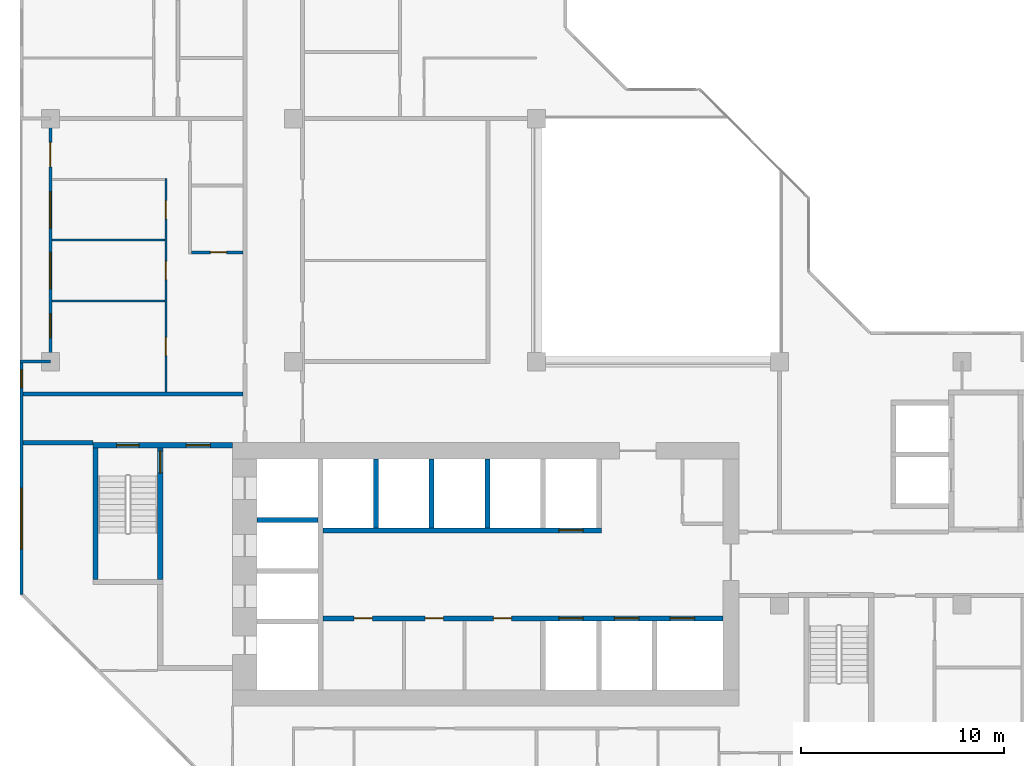
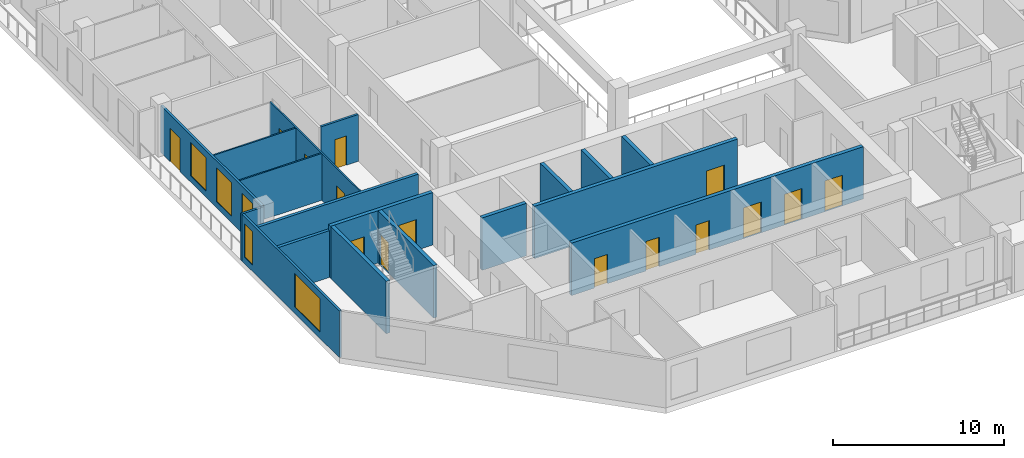
# One storey, part 5 of 14: 18 walls, 15 doors, 5 windows, 20 openings.
"""IFC4 building model written with IfcOpenShell, lengths in metres."""

from ifc_helpers import new_model, si_unit, direction, frame, frame_2d, origin, place, context, subcontext, project, spatial, rectangle, extrude, material, layer, layer_set, type_object, element, fill, save


model = new_model("IFC4")

# Units and contexts
model_context = context("Model", 3, precision=1e-05, world=origin(), true_north=direction((0.0, 1.0)))
body_context = subcontext(model_context, "Body", "Model", "MODEL_VIEW")
ifc_project = project(units=[si_unit("LENGTHUNIT", "METRE"), si_unit("AREAUNIT", "SQUARE_METRE"), si_unit("VOLUMEUNIT", "CUBIC_METRE"), si_unit("PLANEANGLEUNIT", "RADIAN"), si_unit("MASSUNIT", "GRAM", prefix="KILO")], contexts=[model_context])

# Site, building, storey
site_placement = place(None, origin())
site = spatial("IfcSite", under=ifc_project, at=site_placement, CompositionType="ELEMENT")
building_placement = place(site_placement, origin())
building = spatial("IfcBuilding", under=site, at=building_placement, Name="Chenar Terraces", CompositionType="ELEMENT")
storey_placement = place(building_placement, frame((0.0, 0.0, 161.14990234375)))
storey = spatial("IfcBuildingStorey", under=building, at=storey_placement, Name="L36", CompositionType="ELEMENT", Elevation=161.14990234375)

# Wall, openings, doors
ifc_material_1 = material(Name="Concrete C60/75", Category="concrete")
ifc_layer_1 = layer(ifc_material_1, 0.25)
ifc_layer_set_1 = layer_set([ifc_layer_1], Name="Concrete C60/75")
wall_type_1 = type_object("IfcWallType", Name="Core wall 250 Concrete C60/75", PredefinedType="SHEAR", material=ifc_layer_set_1)
wall_1_placement = place(storey_placement, frame((13.449951171875, 11.324951171875, 0.0), z_axis=(0.0, 0.0, 1.0), x_axis=(1.0, 0.0, 0.0)))
wall_1 = element("IfcWall", 1, at=wall_1_placement, inside=storey, type_object=wall_type_1, Name="Core wall SF L36", PredefinedType="SHEAR", context=body_context, shape_type="SweptSolid", body=[
    extrude(rectangle(XDim=19.75, YDim=0.25, at=frame_2d((9.875, 0.0))), origin(), (0.0, 0.0, 1.0), 3.75),
])
opening_1_placement = place(wall_1_placement, frame((11.64990234375, 0.0, 0.0)))
opening_1 = element("IfcOpeningElement", 2, at=opening_1_placement, cuts=wall_1, Name="Opening DL36-LD1", PredefinedType="OPENING", context=body_context, shape_type="SweptSolid", body=[
    extrude(rectangle(XDim=1.199951171875, YDim=2.199951171875, at=frame_2d((0.60009765625, 1.10009765625))), frame((0.0, 0.135009765625, 0.0), z_axis=(0.0, -1.0, 0.0), x_axis=(1.0, 0.0, 0.0)), (0.0, 0.0, 1.0), 0.27001953125),
])
opening_2_placement = place(wall_1_placement, frame((14.39990234375, 0.0, 0.0)))
opening_2 = element("IfcOpeningElement", 3, at=opening_2_placement, cuts=wall_1, Name="Opening DL36-LD2", PredefinedType="OPENING", context=body_context, shape_type="SweptSolid", body=[
    extrude(rectangle(XDim=1.199951171875, YDim=2.199951171875, at=frame_2d((0.60009765625, 1.10009765625))), frame((0.0, 0.135009765625, 0.0), z_axis=(0.0, -1.0, 0.0), x_axis=(1.0, 0.0, 0.0)), (0.0, 0.0, 1.0), 0.27001953125),
])
opening_3_placement = place(wall_1_placement, frame((17.14990234375, 0.0, 0.0)))
opening_3 = element("IfcOpeningElement", 4, at=opening_3_placement, cuts=wall_1, Name="Opening DL36-LD3", PredefinedType="OPENING", context=body_context, shape_type="SweptSolid", body=[
    extrude(rectangle(XDim=1.199951171875, YDim=2.199951171875, at=frame_2d((0.60009765625, 1.10009765625))), frame((0.0, 0.135009765625, 0.0), z_axis=(0.0, -1.0, 0.0), x_axis=(1.0, 0.0, 0.0)), (0.0, 0.0, 1.0), 0.27001953125),
])
opening_4_placement = place(wall_1_placement, frame((1.550048828125, 0.0, 0.0)))
opening_4 = element("IfcOpeningElement", 5, at=opening_4_placement, cuts=wall_1, Name="Opening DL36-C12", PredefinedType="OPENING", context=body_context, shape_type="SweptSolid", body=[
    extrude(rectangle(XDim=0.89990234375, YDim=2.10009765625, at=frame_2d((0.449951171875, 1.050048828125))), frame((0.0, 0.135009765625, 0.0), z_axis=(0.0, -1.0, 0.0), x_axis=(1.0, 0.0, 0.0)), (0.0, 0.0, 1.0), 0.27001953125),
])
opening_5_placement = place(wall_1_placement, frame((5.050048828125, 0.0, 0.0)))
opening_5 = element("IfcOpeningElement", 6, at=opening_5_placement, cuts=wall_1, Name="Opening DL36-C13", PredefinedType="OPENING", context=body_context, shape_type="SweptSolid", body=[
    extrude(rectangle(XDim=0.89990234375, YDim=2.10009765625, at=frame_2d((0.449951171875, 1.050048828125))), frame((0.0, 0.135009765625, 0.0), z_axis=(0.0, -1.0, 0.0), x_axis=(1.0, 0.0, 0.0)), (0.0, 0.0, 1.0), 0.27001953125),
])
opening_6_placement = place(wall_1_placement, frame((8.425048828125, 0.0, 0.0)))
opening_6 = element("IfcOpeningElement", 7, at=opening_6_placement, cuts=wall_1, Name="Opening DL36-C14", PredefinedType="OPENING", context=body_context, shape_type="SweptSolid", body=[
    extrude(rectangle(XDim=0.89990234375, YDim=2.10009765625, at=frame_2d((0.449951171875, 1.050048828125))), frame((0.0, 0.135009765625, 0.0), z_axis=(0.0, -1.0, 0.0), x_axis=(1.0, 0.0, 0.0)), (0.0, 0.0, 1.0), 0.27001953125),
])
ifc_material_2 = material(Name="Stainless steel", Category="steel")
door_type_1 = type_object("IfcDoorType", Name="Lift landing door 1200 x 2200 sliding", OperationType="DOUBLE_DOOR_SLIDING", PredefinedType="DOOR", material=ifc_material_2)
door_1_placement = place(opening_1_placement, origin())
door_1 = element("IfcDoor", 8, at=door_1_placement, inside=storey, type_object=door_type_1, Name="Landing door M1", OperationType="DOUBLE_DOOR_SLIDING", OverallHeight=2.199951171875, OverallWidth=1.199951171875, PredefinedType="DOOR", context=body_context, shape_type="SweptSolid", body=[
    extrude(rectangle(XDim=1.199951171875, YDim=2.199951171875, at=frame_2d((0.60009765625, 1.10009765625))), frame((0.0, 0.02490234375, 0.0), z_axis=(0.0, -1.0, 0.0), x_axis=(1.0, 0.0, 0.0)), (0.0, 0.0, 1.0), 0.050048828125),
])
fill(opening_1, door_1)
door_2_placement = place(opening_2_placement, origin())
door_2 = element("IfcDoor", 9, at=door_2_placement, inside=storey, type_object=door_type_1, Name="Landing door M2", OperationType="DOUBLE_DOOR_SLIDING", OverallHeight=2.199951171875, OverallWidth=1.199951171875, PredefinedType="DOOR", context=body_context, shape_type="SweptSolid", body=[
    extrude(rectangle(XDim=1.199951171875, YDim=2.199951171875, at=frame_2d((0.60009765625, 1.10009765625))), frame((0.0, 0.02490234375, 0.0), z_axis=(0.0, -1.0, 0.0), x_axis=(1.0, 0.0, 0.0)), (0.0, 0.0, 1.0), 0.050048828125),
])
fill(opening_2, door_2)
door_3_placement = place(opening_3_placement, origin())
door_3 = element("IfcDoor", 10, at=door_3_placement, inside=storey, type_object=door_type_1, Name="Landing door M3", OperationType="DOUBLE_DOOR_SLIDING", OverallHeight=2.199951171875, OverallWidth=1.199951171875, PredefinedType="DOOR", context=body_context, shape_type="SweptSolid", body=[
    extrude(rectangle(XDim=1.199951171875, YDim=2.199951171875, at=frame_2d((0.60009765625, 1.10009765625))), frame((0.0, 0.02490234375, 0.0), z_axis=(0.0, -1.0, 0.0), x_axis=(1.0, 0.0, 0.0)), (0.0, 0.0, 1.0), 0.050048828125),
])
fill(opening_3, door_3)
ifc_material_3 = material(Name="Steel-framed fire-resisting door leaf", Category="steel")
door_type_2 = type_object("IfcDoorType", Name="Riser fire door FD60 900 x 2100", OperationType="SINGLE_SWING_LEFT", PredefinedType="DOOR", material=ifc_material_3)
door_4_placement = place(opening_4_placement, frame((0.89990234375, 0.0, 0.0), z_axis=(0.0, 0.0, 1.0), x_axis=(-1.0, 0.0, 0.0)))
door_4 = element("IfcDoor", 11, at=door_4_placement, inside=storey, type_object=door_type_2, Name="Core room door DL36-C12", OperationType="SINGLE_SWING_LEFT", OverallHeight=2.10009765625, OverallWidth=0.89990234375, PredefinedType="DOOR", context=body_context, shape_type="SweptSolid", body=[
    extrude(rectangle(XDim=0.89990234375, YDim=2.10009765625, at=frame_2d((0.449951171875, 1.050048828125))), frame((0.0, 0.02490234375, 0.0), z_axis=(0.0, -1.0, 0.0), x_axis=(1.0, 0.0, 0.0)), (0.0, 0.0, 1.0), 0.050048828125),
])
fill(opening_4, door_4)
door_5_placement = place(opening_5_placement, frame((0.89990234375, 0.0, 0.0), z_axis=(0.0, 0.0, 1.0), x_axis=(-1.0, 0.0, 0.0)))
door_5 = element("IfcDoor", 12, at=door_5_placement, inside=storey, type_object=door_type_2, Name="Core room door DL36-C13", OperationType="SINGLE_SWING_LEFT", OverallHeight=2.10009765625, OverallWidth=0.89990234375, PredefinedType="DOOR", context=body_context, shape_type="SweptSolid", body=[
    extrude(rectangle(XDim=0.89990234375, YDim=2.10009765625, at=frame_2d((0.449951171875, 1.050048828125))), frame((0.0, 0.02490234375, 0.0), z_axis=(0.0, -1.0, 0.0), x_axis=(1.0, 0.0, 0.0)), (0.0, 0.0, 1.0), 0.050048828125),
])
fill(opening_5, door_5)
door_6_placement = place(opening_6_placement, frame((0.89990234375, 0.0, 0.0), z_axis=(0.0, 0.0, 1.0), x_axis=(-1.0, 0.0, 0.0)))
door_6 = element("IfcDoor", 13, at=door_6_placement, inside=storey, type_object=door_type_2, Name="Core room door DL36-C14", OperationType="SINGLE_SWING_RIGHT", OverallHeight=2.10009765625, OverallWidth=0.89990234375, PredefinedType="DOOR", context=body_context, shape_type="SweptSolid", body=[
    extrude(rectangle(XDim=0.89990234375, YDim=2.10009765625, at=frame_2d((0.449951171875, 1.050048828125))), frame((0.0, 0.02490234375, 0.0), z_axis=(0.0, -1.0, 0.0), x_axis=(1.0, 0.0, 0.0)), (0.0, 0.0, 1.0), 0.050048828125),
])
fill(opening_6, door_6)

# Wall, opening, door
wall_2_placement = place(storey_placement, frame((13.449951171875, 15.675048828125, 0.0), z_axis=(0.0, 0.0, 1.0), x_axis=(1.0, 0.0, 0.0)))
wall_2 = element("IfcWall", 14, at=wall_2_placement, inside=storey, type_object=wall_type_1, Name="Core wall NF L36", PredefinedType="SHEAR", context=body_context, shape_type="SweptSolid", body=[
    extrude(rectangle(XDim=13.75, YDim=0.25, at=frame_2d((6.875, 0.0))), origin(), (0.0, 0.0, 1.0), 3.75),
])
opening_7_placement = place(wall_2_placement, frame((11.64990234375, 0.0, 0.0)))
opening_7 = element("IfcOpeningElement", 15, at=opening_7_placement, cuts=wall_2, Name="Opening DL36-LD4", PredefinedType="OPENING", context=body_context, shape_type="SweptSolid", body=[
    extrude(rectangle(XDim=1.199951171875, YDim=2.199951171875, at=frame_2d((0.60009765625, 1.10009765625))), frame((0.0, 0.135009765625, 0.0), z_axis=(0.0, -1.0, 0.0), x_axis=(1.0, 0.0, 0.0)), (0.0, 0.0, 1.0), 0.27001953125),
])
door_7_placement = place(opening_7_placement, origin())
door_7 = element("IfcDoor", 16, at=door_7_placement, inside=storey, type_object=door_type_1, Name="Landing door M4", OperationType="DOUBLE_DOOR_SLIDING", OverallHeight=2.199951171875, OverallWidth=1.199951171875, PredefinedType="DOOR", context=body_context, shape_type="SweptSolid", body=[
    extrude(rectangle(XDim=1.199951171875, YDim=2.199951171875, at=frame_2d((0.60009765625, 1.10009765625))), frame((0.0, 0.02490234375, 0.0), z_axis=(0.0, -1.0, 0.0), x_axis=(1.0, 0.0, 0.0)), (0.0, 0.0, 1.0), 0.050048828125),
])
fill(opening_7, door_7)

# Walls
wall_3_placement = place(storey_placement, frame((10.199951171875, 16.175048828125, 0.0), z_axis=(0.0, 0.0, 1.0), x_axis=(1.0, 0.0, 0.0)))
element("IfcWall", 17, at=wall_3_placement, inside=storey, type_object=wall_type_1, Name="Core wall HW2 L36", PredefinedType="SHEAR", context=body_context, shape_type="SweptSolid", body=[
    extrude(rectangle(XDim=3.0, YDim=0.25, at=frame_2d((1.5, 0.0))), origin(), (0.0, 0.0, 1.0), 3.75),
])
for number, where, z_axis, x_axis, name in (
    (18, (16.074951171875, 15.800048828125, 0.0), (0.0, 0.0, 1.0), (0.0, 1.0, 0.0), "Core wall NS0 L36"),
    (19, (18.824951171875, 15.800048828125, 0.0), (0.0, 0.0, 1.0), (0.0, 1.0, 0.0), "Core wall NS1 L36"),
    (20, (21.574951171875, 15.800048828125, 0.0), (0.0, 0.0, 1.0), (0.0, 1.0, 0.0), "Core wall NS2 L36"),
):
    element("IfcWall", number, at=place(storey_placement, frame(where, z_axis=z_axis, x_axis=x_axis)), inside=storey, type_object=wall_type_1, Name=name, PredefinedType="SHEAR", context=body_context, shape_type="SweptSolid", body=[
        extrude(rectangle(XDim=3.39990234375, YDim=0.25, at=frame_2d((1.699951171875, 0.0))), origin(), (0.0, 0.0, 1.0), 3.75),
    ])

# Wall, openings, doors
wall_4_placement = place(storey_placement, frame((2.10009765625, 19.875, 0.0), z_axis=(0.0, 0.0, 1.0), x_axis=(1.0, 0.0, 0.0)))
wall_4 = element("IfcWall", 21, at=wall_4_placement, inside=storey, type_object=wall_type_1, Name="Core wall A_N L36", PredefinedType="SHEAR", context=body_context, shape_type="SweptSolid", body=[
    extrude(rectangle(XDim=6.89990234375, YDim=0.25, at=frame_2d((3.449951171875, 0.0))), origin(), (0.0, 0.0, 1.0), 3.75),
])
opening_8_placement = place(wall_4_placement, frame((1.175048828125, 0.0, 0.0)))
opening_8 = element("IfcOpeningElement", 22, at=opening_8_placement, cuts=wall_4, Name="Opening DL36-C5", PredefinedType="OPENING", context=body_context, shape_type="SweptSolid", body=[
    extrude(rectangle(XDim=1.10009765625, YDim=2.199951171875, at=frame_2d((0.550048828125, 1.10009765625))), frame((0.0, 0.135009765625, 0.0), z_axis=(0.0, -1.0, 0.0), x_axis=(1.0, 0.0, 0.0)), (0.0, 0.0, 1.0), 0.27001953125),
])
opening_9_placement = place(wall_4_placement, frame((4.60009765625, 0.0, 0.0)))
opening_9 = element("IfcOpeningElement", 23, at=opening_9_placement, cuts=wall_4, Name="Opening DL36-C6", PredefinedType="OPENING", context=body_context, shape_type="SweptSolid", body=[
    extrude(rectangle(XDim=1.199951171875, YDim=2.199951171875, at=frame_2d((0.60009765625, 1.10009765625))), frame((0.0, 0.135009765625, 0.0), z_axis=(0.0, -1.0, 0.0), x_axis=(1.0, 0.0, 0.0)), (0.0, 0.0, 1.0), 0.27001953125),
])
ifc_material_4 = material(Name="Steel-framed fire-resisting door leaf", Category="steel")
door_type_3 = type_object("IfcDoorType", Name="Lobby fire door FD60 1200 x 2200", OperationType="SINGLE_SWING_LEFT", PredefinedType="DOOR", material=ifc_material_4)
door_8_placement = place(opening_9_placement, frame((1.199951171875, 0.0, 0.0), z_axis=(0.0, 0.0, 1.0), x_axis=(-1.0, 0.0, 0.0)))
door_8 = element("IfcDoor", 24, at=door_8_placement, inside=storey, type_object=door_type_3, Name="Core door DL36-C6", OperationType="SINGLE_SWING_LEFT", OverallHeight=2.199951171875, OverallWidth=1.199951171875, PredefinedType="DOOR", context=body_context, shape_type="SweptSolid", body=[
    extrude(rectangle(XDim=1.199951171875, YDim=2.199951171875, at=frame_2d((0.60009765625, 1.10009765625))), frame((0.0, 0.02490234375, 0.0), z_axis=(0.0, -1.0, 0.0), x_axis=(1.0, 0.0, 0.0)), (0.0, 0.0, 1.0), 0.050048828125),
])
fill(opening_9, door_8)
ifc_material_5 = material(Name="Steel-framed fire-resisting door leaf", Category="steel")
door_type_4 = type_object("IfcDoorType", Name="Stair fire door FD60 1100 x 2200", OperationType="SINGLE_SWING_LEFT", PredefinedType="DOOR", material=ifc_material_5)
door_9_placement = place(opening_8_placement, origin())
door_9 = element("IfcDoor", 25, at=door_9_placement, inside=storey, type_object=door_type_4, Name="Stair door DL36-C5", OperationType="SINGLE_SWING_LEFT", OverallHeight=2.199951171875, OverallWidth=1.10009765625, PredefinedType="DOOR", context=body_context, shape_type="SweptSolid", body=[
    extrude(rectangle(XDim=1.10009765625, YDim=2.199951171875, at=frame_2d((0.550048828125, 1.10009765625))), frame((0.0, 0.02490234375, 0.0), z_axis=(0.0, -1.0, 0.0), x_axis=(1.0, 0.0, 0.0)), (0.0, 0.0, 1.0), 0.050048828125),
])
fill(opening_8, door_9)

# Wall
wall_5_placement = place(storey_placement, frame((2.22509765625, 13.25, 0.0), z_axis=(0.0, 0.0, 1.0), x_axis=(0.0, 1.0, 0.0)))
element("IfcWall", 26, at=wall_5_placement, inside=storey, type_object=wall_type_1, Name="Core wall ST1_W L36", PredefinedType="SHEAR", context=body_context, shape_type="SweptSolid", body=[
    extrude(rectangle(XDim=6.5, YDim=0.25, at=frame_2d((3.25, 0.0))), origin(), (0.0, 0.0, 1.0), 3.75),
])

# Wall, opening, door
wall_6_placement = place(storey_placement, frame((5.425048828125, 13.25, 0.0), z_axis=(0.0, 0.0, 1.0), x_axis=(0.0, 1.0, 0.0)))
wall_6 = element("IfcWall", 27, at=wall_6_placement, inside=storey, type_object=wall_type_1, Name="Core wall ST1_E L36", PredefinedType="SHEAR", context=body_context, shape_type="SweptSolid", body=[
    extrude(rectangle(XDim=6.5, YDim=0.25, at=frame_2d((3.25, 0.0))), origin(), (0.0, 0.0, 1.0), 3.75),
])
opening_10_placement = place(wall_6_placement, frame((5.25, 0.0, 0.0)))
opening_10 = element("IfcOpeningElement", 28, at=opening_10_placement, cuts=wall_6, Name="Opening DL36-C3", PredefinedType="OPENING", context=body_context, shape_type="SweptSolid", body=[
    extrude(rectangle(XDim=1.10009765625, YDim=2.199951171875, at=frame_2d((0.550048828125, 1.10009765625))), frame((0.0, 0.135009765625, 0.0), z_axis=(0.0, -1.0, 0.0), x_axis=(1.0, 0.0, 0.0)), (0.0, 0.0, 1.0), 0.27001953125),
])
door_10_placement = place(opening_10_placement, origin())
door_10 = element("IfcDoor", 29, at=door_10_placement, inside=storey, type_object=door_type_4, Name="Stair door DL36-C3", OperationType="SINGLE_SWING_RIGHT", OverallHeight=2.199951171875, OverallWidth=1.10009765625, PredefinedType="DOOR", context=body_context, shape_type="SweptSolid", body=[
    extrude(rectangle(XDim=1.10009765625, YDim=2.199951171875, at=frame_2d((0.550048828125, 1.10009765625))), frame((0.0, 0.02490234375, 0.0), z_axis=(0.0, -1.0, 0.0), x_axis=(1.0, 0.0, 0.0)), (0.0, 0.0, 1.0), 0.050048828125),
])
fill(opening_10, door_10)

# Walls
ifc_material_6 = material(Name="Gypsum board on steel studs with fire boards", Category="steel")
ifc_layer_2 = layer(ifc_material_6, 0.199951171875)
ifc_layer_set_2 = layer_set([ifc_layer_2], Name="Gypsum board on steel studs with fire boards")
wall_type_2 = type_object("IfcWallType", Name="Corridor wall 200", PredefinedType="PARTITIONING", material=ifc_layer_set_2)
wall_7_placement = place(storey_placement, frame((-1.35009765625, 20.0, 0.0), z_axis=(0.0, 0.0, 1.0), x_axis=(1.0, 0.0, 0.0)))
element("IfcWall", 30, at=wall_7_placement, inside=storey, type_object=wall_type_2, Name="Partition L36-004", PredefinedType="PARTITIONING", context=body_context, shape_type="SweptSolid", body=[
    extrude(rectangle(XDim=3.4501953125, YDim=0.199951171875, at=frame_2d((1.72509765625, 0.0))), origin(), (0.0, 0.0, 1.0), 3.35009765625),
])
wall_8_placement = place(storey_placement, frame((-1.35009765625, 22.39990234375, 0.0), z_axis=(0.0, 0.0, 1.0), x_axis=(1.0, 0.0, 0.0)))
element("IfcWall", 31, at=wall_8_placement, inside=storey, type_object=wall_type_2, Name="Partition L36-005", PredefinedType="PARTITIONING", context=body_context, shape_type="SweptSolid", body=[
    extrude(rectangle(XDim=10.85009765625, YDim=0.199951171875, at=frame_2d((5.425048828125, 0.0))), origin(), (0.0, 0.0, 1.0), 3.35009765625),
])

# Wall, openings, windows
ifc_material_7 = material(Name="Aluminium framed glazing", Category="aluminium")
ifc_layer_3 = layer(ifc_material_7, 0.14990234375)
ifc_layer_set_3 = layer_set([ifc_layer_3], Name="Aluminium framed glazing")
wall_type_3 = type_object("IfcWallType", Name="Glazed flush facade wall 150", PredefinedType="SOLIDWALL", material=ifc_layer_set_3)
wall_9_placement = place(storey_placement, frame((-1.425048828125, 23.925048828125, 0.0), z_axis=(0.0, 0.0, 1.0), x_axis=(0.0, -1.0, 0.0)))
wall_9 = element("IfcWall", 32, at=wall_9_placement, inside=storey, type_object=wall_type_3, Name="Glazed flush facade wall", PredefinedType="SOLIDWALL", context=body_context, shape_type="SweptSolid", body=[
    extrude(rectangle(XDim=11.425048828125, YDim=0.14990234375, at=frame_2d((5.71240234375, 0.0))), origin(), (0.0, 0.0, 1.0), 3.35009765625),
])
opening_11_placement = place(wall_9_placement, frame((0.3125, 0.0, 0.449951171875)))
opening_11 = element("IfcOpeningElement", 33, at=opening_11_placement, cuts=wall_9, Name="Opening W90x240", PredefinedType="OPENING", context=body_context, shape_type="SweptSolid", body=[
    extrude(rectangle(XDim=0.89990234375, YDim=2.39990234375, at=frame_2d((0.449951171875, 1.199951171875))), frame((0.0, 0.0849609375, 0.0), z_axis=(0.0, -1.0, 0.0), x_axis=(1.0, 0.0, 0.0)), (0.0, 0.0, 1.0), 0.169921875),
])
opening_12_placement = place(wall_9_placement, frame((6.175048828125, 0.0, 0.449951171875)))
opening_12 = element("IfcOpeningElement", 34, at=opening_12_placement, cuts=wall_9, Name="Opening W300x240", PredefinedType="OPENING", context=body_context, shape_type="SweptSolid", body=[
    extrude(rectangle(XDim=3.0, YDim=2.39990234375, at=frame_2d((1.5, 1.199951171875))), frame((0.0, 0.0849609375, 0.0), z_axis=(0.0, -1.0, 0.0), x_axis=(1.0, 0.0, 0.0)), (0.0, 0.0, 1.0), 0.169921875),
])
ifc_material_8 = material(Name="Low emissivity double glazing, aluminium frame", Category="aluminium")
window_type_1 = type_object("IfcWindowType", Name="Fixed light 3000 x 2400", PartitioningType="SINGLE_PANEL", PredefinedType="WINDOW", material=ifc_material_8)
window_1_placement = place(opening_12_placement, origin())
window_1 = element("IfcWindow", 35, at=window_1_placement, inside=storey, type_object=window_type_1, Name="Window", OverallHeight=2.39990234375, OverallWidth=3.0, PartitioningType="SINGLE_PANEL", PredefinedType="WINDOW", context=body_context, shape_type="SweptSolid", body=[
    extrude(rectangle(XDim=3.0, YDim=2.39990234375, at=frame_2d((1.5, 1.199951171875))), frame((0.0, 0.030029296875, 0.0), z_axis=(0.0, -1.0, 0.0), x_axis=(1.0, 0.0, 0.0)), (0.0, 0.0, 1.0), 0.06005859375),
])
fill(opening_12, window_1)
ifc_material_9 = material(Name="Low emissivity double glazing, aluminium frame", Category="aluminium")
window_type_2 = type_object("IfcWindowType", Name="Fixed light 900 x 2400", PartitioningType="SINGLE_PANEL", PredefinedType="WINDOW", material=ifc_material_9)
window_2_placement = place(opening_11_placement, origin())
window_2 = element("IfcWindow", 36, at=window_2_placement, inside=storey, type_object=window_type_2, Name="Window", OverallHeight=2.39990234375, OverallWidth=0.89990234375, PartitioningType="SINGLE_PANEL", PredefinedType="WINDOW", context=body_context, shape_type="SweptSolid", body=[
    extrude(rectangle(XDim=0.89990234375, YDim=2.39990234375, at=frame_2d((0.449951171875, 1.199951171875))), frame((0.0, 0.030029296875, 0.0), z_axis=(0.0, -1.0, 0.0), x_axis=(1.0, 0.0, 0.0)), (0.0, 0.0, 1.0), 0.06005859375),
])
fill(opening_11, window_2)

# Wall, openings, windows, door
ifc_material_10 = material(Name="Aluminium framed glazing", Category="aluminium")
ifc_layer_4 = layer(ifc_material_10, 0.14990234375)
ifc_layer_set_4 = layer_set([ifc_layer_4], Name="Aluminium framed glazing")
wall_type_4 = type_object("IfcWallType", Name="Glazed loggia back wall 150", PredefinedType="SOLIDWALL", material=ifc_layer_set_4)
wall_10_placement = place(storey_placement, frame((0.0, 35.925048828125, 0.0), z_axis=(0.0, 0.0, 1.0), x_axis=(0.0, -1.0, 0.0)))
wall_10 = element("IfcWall", 37, at=wall_10_placement, inside=storey, type_object=wall_type_4, Name="Glazed loggia back wall", PredefinedType="SOLIDWALL", context=body_context, shape_type="SweptSolid", body=[
    extrude(rectangle(XDim=11.85009765625, YDim=0.14990234375, at=frame_2d((5.925048828125, 0.0))), origin(), (0.0, 0.0, 1.0), 3.35009765625),
])
opening_13_placement = place(wall_10_placement, frame((1.10009765625, 0.0, 0.0)))
opening_13 = element("IfcOpeningElement", 38, at=opening_13_placement, cuts=wall_10, Name="Opening DL36-G5", PredefinedType="OPENING", context=body_context, shape_type="SweptSolid", body=[
    extrude(rectangle(XDim=1.199951171875, YDim=2.39990234375, at=frame_2d((0.60009765625, 1.199951171875))), frame((0.0, 0.0849609375, 0.0), z_axis=(0.0, -1.0, 0.0), x_axis=(1.0, 0.0, 0.0)), (0.0, 0.0, 1.0), 0.169921875),
])
opening_14_placement = place(wall_10_placement, frame((3.52490234375, 0.0, 0.449951171875)))
opening_14 = element("IfcOpeningElement", 39, at=opening_14_placement, cuts=wall_10, Name="Opening W180x240", PredefinedType="OPENING", context=body_context, shape_type="SweptSolid", body=[
    extrude(rectangle(XDim=1.800048828125, YDim=2.39990234375, at=frame_2d((0.89990234375, 1.199951171875))), frame((0.0, 0.0849609375, 0.0), z_axis=(0.0, -1.0, 0.0), x_axis=(1.0, 0.0, 0.0)), (0.0, 0.0, 1.0), 0.169921875),
])
opening_15_placement = place(wall_10_placement, frame((6.52490234375, 0.0, 0.449951171875)))
opening_15 = element("IfcOpeningElement", 40, at=opening_15_placement, cuts=wall_10, Name="Opening W180x240", PredefinedType="OPENING", context=body_context, shape_type="SweptSolid", body=[
    extrude(rectangle(XDim=1.800048828125, YDim=2.39990234375, at=frame_2d((0.89990234375, 1.199951171875))), frame((0.0, 0.0849609375, 0.0), z_axis=(0.0, -1.0, 0.0), x_axis=(1.0, 0.0, 0.0)), (0.0, 0.0, 1.0), 0.169921875),
])
opening_16_placement = place(wall_10_placement, frame((9.550048828125, 0.0, 0.449951171875)))
opening_16 = element("IfcOpeningElement", 41, at=opening_16_placement, cuts=wall_10, Name="Opening W120x240", PredefinedType="OPENING", context=body_context, shape_type="SweptSolid", body=[
    extrude(rectangle(XDim=1.199951171875, YDim=2.39990234375, at=frame_2d((0.60009765625, 1.199951171875))), frame((0.0, 0.0849609375, 0.0), z_axis=(0.0, -1.0, 0.0), x_axis=(1.0, 0.0, 0.0)), (0.0, 0.0, 1.0), 0.169921875),
])
ifc_material_11 = material(Name="Low emissivity double glazing, aluminium frame", Category="aluminium")
window_type_3 = type_object("IfcWindowType", Name="Fixed light 1200 x 2400", PartitioningType="SINGLE_PANEL", PredefinedType="WINDOW", material=ifc_material_11)
window_3_placement = place(opening_16_placement, origin())
window_3 = element("IfcWindow", 42, at=window_3_placement, inside=storey, type_object=window_type_3, Name="Window", OverallHeight=2.39990234375, OverallWidth=1.199951171875, PartitioningType="SINGLE_PANEL", PredefinedType="WINDOW", context=body_context, shape_type="SweptSolid", body=[
    extrude(rectangle(XDim=1.199951171875, YDim=2.39990234375, at=frame_2d((0.60009765625, 1.199951171875))), frame((0.0, 0.030029296875, 0.0), z_axis=(0.0, -1.0, 0.0), x_axis=(1.0, 0.0, 0.0)), (0.0, 0.0, 1.0), 0.06005859375),
])
fill(opening_16, window_3)
ifc_material_12 = material(Name="Low emissivity double glazing, aluminium frame", Category="aluminium")
window_type_4 = type_object("IfcWindowType", Name="Fixed light 1800 x 2400", PartitioningType="SINGLE_PANEL", PredefinedType="WINDOW", material=ifc_material_12)
window_4_placement = place(opening_14_placement, origin())
window_4 = element("IfcWindow", 43, at=window_4_placement, inside=storey, type_object=window_type_4, Name="Window", OverallHeight=2.39990234375, OverallWidth=1.800048828125, PartitioningType="SINGLE_PANEL", PredefinedType="WINDOW", context=body_context, shape_type="SweptSolid", body=[
    extrude(rectangle(XDim=1.800048828125, YDim=2.39990234375, at=frame_2d((0.89990234375, 1.199951171875))), frame((0.0, 0.030029296875, 0.0), z_axis=(0.0, -1.0, 0.0), x_axis=(1.0, 0.0, 0.0)), (0.0, 0.0, 1.0), 0.06005859375),
])
fill(opening_14, window_4)
window_5_placement = place(opening_15_placement, origin())
window_5 = element("IfcWindow", 44, at=window_5_placement, inside=storey, type_object=window_type_4, Name="Window", OverallHeight=2.39990234375, OverallWidth=1.800048828125, PartitioningType="SINGLE_PANEL", PredefinedType="WINDOW", context=body_context, shape_type="SweptSolid", body=[
    extrude(rectangle(XDim=1.800048828125, YDim=2.39990234375, at=frame_2d((0.89990234375, 1.199951171875))), frame((0.0, 0.030029296875, 0.0), z_axis=(0.0, -1.0, 0.0), x_axis=(1.0, 0.0, 0.0)), (0.0, 0.0, 1.0), 0.06005859375),
])
fill(opening_15, window_5)
ifc_material_13 = material(Name="Low emissivity double glazing, aluminium frame", Category="aluminium")
door_type_5 = type_object("IfcDoorType", Name="Loggia glazed double door 1200 x 2400", OperationType="DOUBLE_DOOR_SINGLE_SWING", PredefinedType="DOOR", material=ifc_material_13)
door_11_placement = place(opening_13_placement, frame((1.199951171875, 0.0, 0.0), z_axis=(0.0, 0.0, 1.0), x_axis=(-1.0, 0.0, 0.0)))
door_11 = element("IfcDoor", 45, at=door_11_placement, inside=storey, type_object=door_type_5, Name="Loggia glazed door", OperationType="DOUBLE_DOOR_SINGLE_SWING", OverallHeight=2.39990234375, OverallWidth=1.199951171875, PredefinedType="DOOR", context=body_context, shape_type="SweptSolid", body=[
    extrude(rectangle(XDim=1.199951171875, YDim=2.39990234375, at=frame_2d((0.60009765625, 1.199951171875))), frame((0.0, 0.02490234375, 0.0), z_axis=(0.0, -1.0, 0.0), x_axis=(1.0, 0.0, 0.0)), (0.0, 0.0, 1.0), 0.050048828125),
])
fill(opening_13, door_11)

# Walls
ifc_material_14 = material(Name="Gypsum board on steel studs", Category="steel")
ifc_layer_5 = layer(ifc_material_14, 0.10009765625)
ifc_layer_set_5 = layer_set([ifc_layer_5], Name="Gypsum board on steel studs")
wall_type_5 = type_object("IfcWallType", Name="Gypsum partition 100", PredefinedType="PARTITIONING", material=ifc_layer_set_5)
for number, where, z_axis, x_axis, name in (
    (46, (0.073974609375, 27.0, 0.0), (0.0, 0.0, 1.0), (1.0, 0.0, 0.0), "Partition L36-008"),
    (47, (0.073974609375, 30.0, 0.0), (0.0, 0.0, 1.0), (1.0, 0.0, 0.0), "Partition L36-009"),
):
    element("IfcWall", number, at=place(storey_placement, frame(where, z_axis=z_axis, x_axis=x_axis)), inside=storey, type_object=wall_type_5, Name=name, PredefinedType="PARTITIONING", context=body_context, shape_type="SweptSolid", body=[
        extrude(rectangle(XDim=5.575927734375, YDim=0.10009765625, at=frame_2d((2.7880859375, 0.0))), origin(), (0.0, 0.0, 1.0), 3.35009765625),
    ])

# Wall, openings, doors
wall_11_placement = place(storey_placement, frame((5.699951171875, 22.5, 0.0), z_axis=(0.0, 0.0, 1.0), x_axis=(0.0, 1.0, 0.0)))
wall_11 = element("IfcWall", 48, at=wall_11_placement, inside=storey, type_object=wall_type_5, Name="Partition L36-015", PredefinedType="PARTITIONING", context=body_context, shape_type="SweptSolid", body=[
    extrude(rectangle(XDim=10.550048828125, YDim=0.10009765625, at=frame_2d((5.27490234375, 0.0))), origin(), (0.0, 0.0, 1.0), 3.35009765625),
])
opening_17_placement = place(wall_11_placement, frame((1.800048828125, 0.0, 0.0)))
opening_17 = element("IfcOpeningElement", 49, at=opening_17_placement, cuts=wall_11, Name="Opening DL36-58", PredefinedType="OPENING", context=body_context, shape_type="SweptSolid", body=[
    extrude(rectangle(XDim=0.89990234375, YDim=2.10009765625, at=frame_2d((0.449951171875, 1.050048828125))), frame((0.0, 0.06005859375, 0.0), z_axis=(0.0, -1.0, 0.0), x_axis=(1.0, 0.0, 0.0)), (0.0, 0.0, 1.0), 0.1201171875),
])
opening_18_placement = place(wall_11_placement, frame((5.550048828125, 0.0, 0.0)))
opening_18 = element("IfcOpeningElement", 50, at=opening_18_placement, cuts=wall_11, Name="Opening DL36-59", PredefinedType="OPENING", context=body_context, shape_type="SweptSolid", body=[
    extrude(rectangle(XDim=0.89990234375, YDim=2.10009765625, at=frame_2d((0.449951171875, 1.050048828125))), frame((0.0, 0.06005859375, 0.0), z_axis=(0.0, -1.0, 0.0), x_axis=(1.0, 0.0, 0.0)), (0.0, 0.0, 1.0), 0.1201171875),
])
opening_19_placement = place(wall_11_placement, frame((8.550048828125, 0.0, 0.0)))
opening_19 = element("IfcOpeningElement", 51, at=opening_19_placement, cuts=wall_11, Name="Opening DL36-60", PredefinedType="OPENING", context=body_context, shape_type="SweptSolid", body=[
    extrude(rectangle(XDim=0.89990234375, YDim=2.10009765625, at=frame_2d((0.449951171875, 1.050048828125))), frame((0.0, 0.06005859375, 0.0), z_axis=(0.0, -1.0, 0.0), x_axis=(1.0, 0.0, 0.0)), (0.0, 0.0, 1.0), 0.1201171875),
])
ifc_material_15 = material(Name="Veneered timber door leaf", Category="wood")
door_type_6 = type_object("IfcDoorType", Name="Door 900 x 2100", OperationType="SINGLE_SWING_LEFT", PredefinedType="DOOR", material=ifc_material_15)
door_12_placement = place(opening_17_placement, origin())
door_12 = element("IfcDoor", 52, at=door_12_placement, inside=storey, type_object=door_type_6, Name="Door DL36-58", OperationType="SINGLE_SWING_RIGHT", OverallHeight=2.10009765625, OverallWidth=0.89990234375, PredefinedType="DOOR", context=body_context, shape_type="SweptSolid", body=[
    extrude(rectangle(XDim=0.89990234375, YDim=2.10009765625, at=frame_2d((0.449951171875, 1.050048828125))), frame((0.0, 0.02490234375, 0.0), z_axis=(0.0, -1.0, 0.0), x_axis=(1.0, 0.0, 0.0)), (0.0, 0.0, 1.0), 0.050048828125),
])
fill(opening_17, door_12)
door_13_placement = place(opening_18_placement, origin())
door_13 = element("IfcDoor", 53, at=door_13_placement, inside=storey, type_object=door_type_6, Name="Door DL36-59", OperationType="SINGLE_SWING_RIGHT", OverallHeight=2.10009765625, OverallWidth=0.89990234375, PredefinedType="DOOR", context=body_context, shape_type="SweptSolid", body=[
    extrude(rectangle(XDim=0.89990234375, YDim=2.10009765625, at=frame_2d((0.449951171875, 1.050048828125))), frame((0.0, 0.02490234375, 0.0), z_axis=(0.0, -1.0, 0.0), x_axis=(1.0, 0.0, 0.0)), (0.0, 0.0, 1.0), 0.050048828125),
])
fill(opening_18, door_13)
door_14_placement = place(opening_19_placement, origin())
door_14 = element("IfcDoor", 54, at=door_14_placement, inside=storey, type_object=door_type_6, Name="Door DL36-60", OperationType="SINGLE_SWING_RIGHT", OverallHeight=2.10009765625, OverallWidth=0.89990234375, PredefinedType="DOOR", context=body_context, shape_type="SweptSolid", body=[
    extrude(rectangle(XDim=0.89990234375, YDim=2.10009765625, at=frame_2d((0.449951171875, 1.050048828125))), frame((0.0, 0.02490234375, 0.0), z_axis=(0.0, -1.0, 0.0), x_axis=(1.0, 0.0, 0.0)), (0.0, 0.0, 1.0), 0.050048828125),
])
fill(opening_19, door_14)

# Wall
ifc_material_16 = material(Name="Terracotta cladding on insulated backing", Category="masonry")
ifc_layer_6 = layer(ifc_material_16, 0.14990234375)
ifc_layer_set_6 = layer_set([ifc_layer_6], Name="Terracotta cladding on insulated backing")
wall_type_6 = type_object("IfcWallType", Name="Loggia return wall 150", PredefinedType="SOLIDWALL", material=ifc_layer_set_6)
wall_12_placement = place(storey_placement, frame((-1.5, 24.0, 0.0), z_axis=(0.0, 0.0, 1.0), x_axis=(1.0, 0.0, 0.0)))
element("IfcWall", 55, at=wall_12_placement, inside=storey, type_object=wall_type_6, Name="Loggia return wall", PredefinedType="SOLIDWALL", context=body_context, shape_type="SweptSolid", body=[
    extrude(rectangle(XDim=1.5, YDim=0.14990234375, at=frame_2d((0.75, 0.0))), origin(), (0.0, 0.0, 1.0), 3.35009765625),
])

# Wall, opening, door
ifc_material_17 = material(Name="Moisture-resistant gypsum board on steel studs", Category="steel")
ifc_layer_7 = layer(ifc_material_17, 0.14990234375)
ifc_layer_set_7 = layer_set([ifc_layer_7], Name="Moisture-resistant gypsum board on steel studs")
wall_type_7 = type_object("IfcWallType", Name="Wet-room partition 150", PredefinedType="PARTITIONING", material=ifc_layer_set_7)
wall_13_placement = place(storey_placement, frame((6.97509765625, 29.39990234375, 0.0), z_axis=(0.0, 0.0, 1.0), x_axis=(1.0, 0.0, 0.0)))
wall_13 = element("IfcWall", 56, at=wall_13_placement, inside=storey, type_object=wall_type_7, Name="Partition L36-024", PredefinedType="PARTITIONING", context=body_context, shape_type="SweptSolid", body=[
    extrude(rectangle(XDim=2.52490234375, YDim=0.14990234375, at=frame_2d((1.262451171875, 0.0))), origin(), (0.0, 0.0, 1.0), 3.35009765625),
])
opening_20_placement = place(wall_13_placement, frame((0.925048828125, 0.0, 0.0)))
opening_20 = element("IfcOpeningElement", 57, at=opening_20_placement, cuts=wall_13, Name="Opening DL36-57", PredefinedType="OPENING", context=body_context, shape_type="SweptSolid", body=[
    extrude(rectangle(XDim=0.800048828125, YDim=2.10009765625, at=frame_2d((0.39990234375, 1.050048828125))), frame((0.0, 0.0849609375, 0.0), z_axis=(0.0, -1.0, 0.0), x_axis=(1.0, 0.0, 0.0)), (0.0, 0.0, 1.0), 0.169921875),
])
ifc_material_18 = material(Name="Veneered timber door leaf", Category="wood")
door_type_7 = type_object("IfcDoorType", Name="Door 800 x 2100", OperationType="SINGLE_SWING_LEFT", PredefinedType="DOOR", material=ifc_material_18)
door_15_placement = place(opening_20_placement, origin())
door_15 = element("IfcDoor", 58, at=door_15_placement, inside=storey, type_object=door_type_7, Name="Door DL36-57", OperationType="SINGLE_SWING_RIGHT", OverallHeight=2.10009765625, OverallWidth=0.800048828125, PredefinedType="DOOR", context=body_context, shape_type="SweptSolid", body=[
    extrude(rectangle(XDim=0.800048828125, YDim=2.10009765625, at=frame_2d((0.39990234375, 1.050048828125))), frame((0.0, 0.02490234375, 0.0), z_axis=(0.0, -1.0, 0.0), x_axis=(1.0, 0.0, 0.0)), (0.0, 0.0, 1.0), 0.050048828125),
])
fill(opening_20, door_15)

save(model, "model.ifc")
